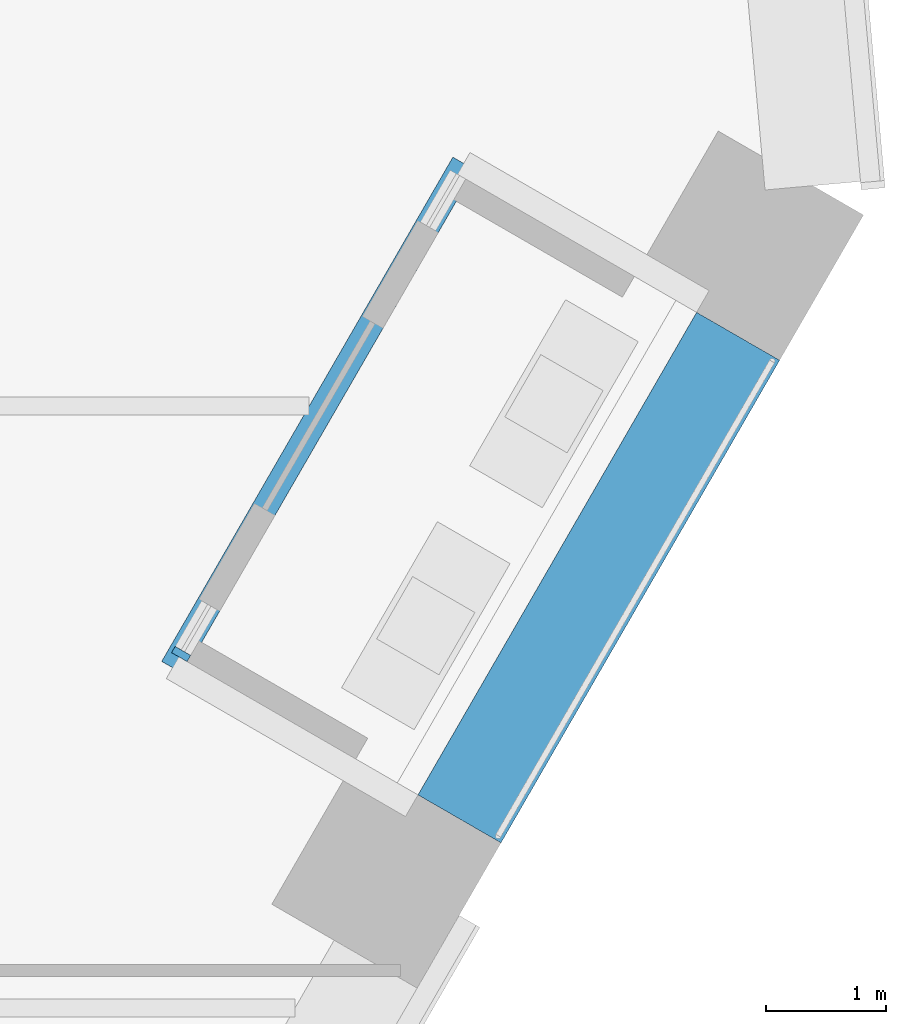
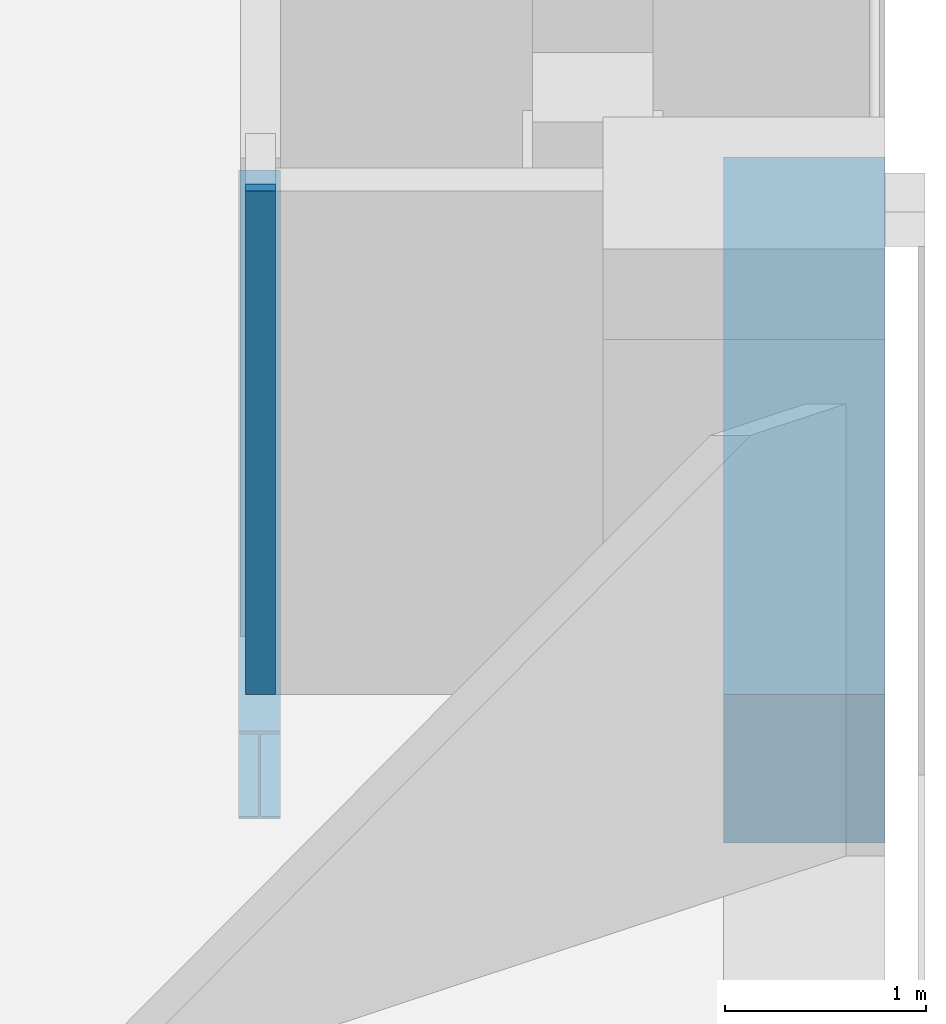
# One storey, part 7 of 26: 2 beams, 1 member, 1 element without a shape of its own.
"""IFC4 building model written with IfcOpenShell, lengths in metres."""

from ifc_helpers import new_model, si_unit, direction, frame, origin, origin_2d, place, context, subcontext, project, spatial, rectangle, i_section, extrude, material, layer, layer_set, material_profile, profile_set, type_object, element, aggregate, save


model = new_model("IFC4")

# Units and contexts
model_context = context("Model", 3, precision=1e-05, world=origin(), true_north=direction((0.0, 1.0)))
body_context = subcontext(model_context, "Body", "Model", "MODEL_VIEW")
ifc_project = project(units=[si_unit("LENGTHUNIT", "METRE"), si_unit("AREAUNIT", "SQUARE_METRE"), si_unit("VOLUMEUNIT", "CUBIC_METRE"), si_unit("PLANEANGLEUNIT", "RADIAN"), si_unit("MASSUNIT", "GRAM", prefix="KILO")], contexts=[model_context])

# Site, building, storey
site_placement = place(None, origin())
site = spatial("IfcSite", under=ifc_project, at=site_placement, CompositionType="ELEMENT")
building_placement = place(site_placement, origin())
building = spatial("IfcBuilding", under=site, at=building_placement, Name="Isthmus Gate Tower", CompositionType="ELEMENT")
storey_placement = place(building_placement, frame((0.0, 0.0, 144.39990234375)))
storey = spatial("IfcBuildingStorey", under=building, at=storey_placement, Name="L35", CompositionType="ELEMENT", Elevation=144.39990234375)

# Curtain wall, member
ifc_material_1 = material(Name="Aluminium, pale champagne anodised", Category="aluminium")
ifc_layer = layer(ifc_material_1, 0.14990234375)
ifc_layer_set = layer_set([ifc_layer], Name="CW-6 LOGGIA BACK WALL GLAZING 150 DEEP")
curtain_wall_type = type_object("IfcCurtainWallType", Name="CW-6 LOGGIA BACK WALL GLAZING 150 DEEP", PredefinedType="NOTDEFINED", material=ifc_layer_set)
curtain_wall_placement = place(storey_placement, origin())
curtain_wall = element("IfcCurtainWall", 1, at=curtain_wall_placement, inside=storey, type_object=curtain_wall_type, Name="CW-6 SE L35", PredefinedType="NOTDEFINED")
ifc_material_2 = material(Name="Aluminium, pale champagne anodised", Category="aluminium")
ifc_material_profile_1 = material_profile(ifc_material_2, rectangle(XDim=0.06005859375, YDim=0.14990234375, at=origin_2d()), Name="60x150")
ifc_profile_set_1 = profile_set([ifc_material_profile_1], Name="Aluminium, pale champagne anodised")
member_type = type_object("IfcMemberType", Name="CW-6 MULLION 60 X 150", PredefinedType="MULLION", material=ifc_profile_set_1)
member_placement = place(storey_placement, frame((27.534912109375, -2.108154296875, 0.0), z_axis=(0.0, 0.0, 1.0), x_axis=(0.5, 0.866025403784, 0.0)))
member = element("IfcMember", 2, at=member_placement, type_object=member_type, Name="CW-6 mullion", PredefinedType="MULLION", context=body_context, shape_type="SweptSolid", body=[
    extrude(rectangle(XDim=0.06005859375, YDim=0.14990234375, at=origin_2d()), origin(), (0.0, 0.0, 1.0), 3.050048828125),
])
aggregate(curtain_wall, [member])

# Beams
ifc_material_3 = material(Name="Concrete f'c 60 MPa", Category="concrete")
ifc_material_profile_2 = material_profile(ifc_material_3, rectangle(XDim=0.800048828125, YDim=0.89990234375, at=origin_2d()), Name="RC 800X900")
ifc_profile_set_2 = profile_set([ifc_material_profile_2], Name="Concrete f'c 60 MPa")
beam_type_1 = type_object("IfcBeamType", Name="RC SPANDREL 800 X 900", PredefinedType="SPANDREL", material=ifc_profile_set_2)
beam_1_placement = place(storey_placement, frame((32.183349609375, 0.54296875, -0.449951171875), z_axis=(-0.500023913295, -0.866011596997, 0.0), x_axis=(0.866011596997, -0.500023913295, 0.0)))
element("IfcBeam", 3, at=beam_1_placement, inside=storey, type_object=beam_type_1, Name="str-spandrel-L35-06", PredefinedType="SPANDREL", context=body_context, shape_type="SweptSolid", body=[
    extrude(rectangle(XDim=0.800048828125, YDim=0.89990234375, at=origin_2d()), origin(), (0.0, 0.0, 1.0), 4.650146484375),
])
ifc_material_4 = material(Name="Structural steel ASTM A992 Gr 50", Category="steel")
ifc_material_profile_3 = material_profile(ifc_material_4, i_section(OverallWidth=0.20947265625, OverallDepth=0.533447265625, WebThickness=0.009521484375, FlangeThickness=0.015869140625, at=origin_2d()), Name="W21X62")
ifc_profile_set_3 = profile_set([ifc_material_profile_3], Name="Structural steel ASTM A992 Gr 50")
beam_type_2 = type_object("IfcBeamType", Name="STEEL TRIMMER W21X62", PredefinedType="BEAM", material=ifc_profile_set_3)
beam_2_placement = place(storey_placement, frame((27.46337890625, -2.222412109375, -0.41650390625), z_axis=(0.500023965831, 0.866011566663, 0.0), x_axis=(-0.866011566663, 0.500023965831, 0.0)))
element("IfcBeam", 4, at=beam_2_placement, inside=storey, type_object=beam_type_2, Name="str-loggiatrim-L35-04-B", PredefinedType="BEAM", context=body_context, shape_type="SweptSolid", body=[
    extrude(i_section(OverallWidth=0.20947265625, OverallDepth=0.533447265625, WebThickness=0.009521484375, FlangeThickness=0.015869140625, at=origin_2d()), origin(), (0.0, 0.0, 1.0), 4.859619140625),
])

save(model, "model.ifc")
